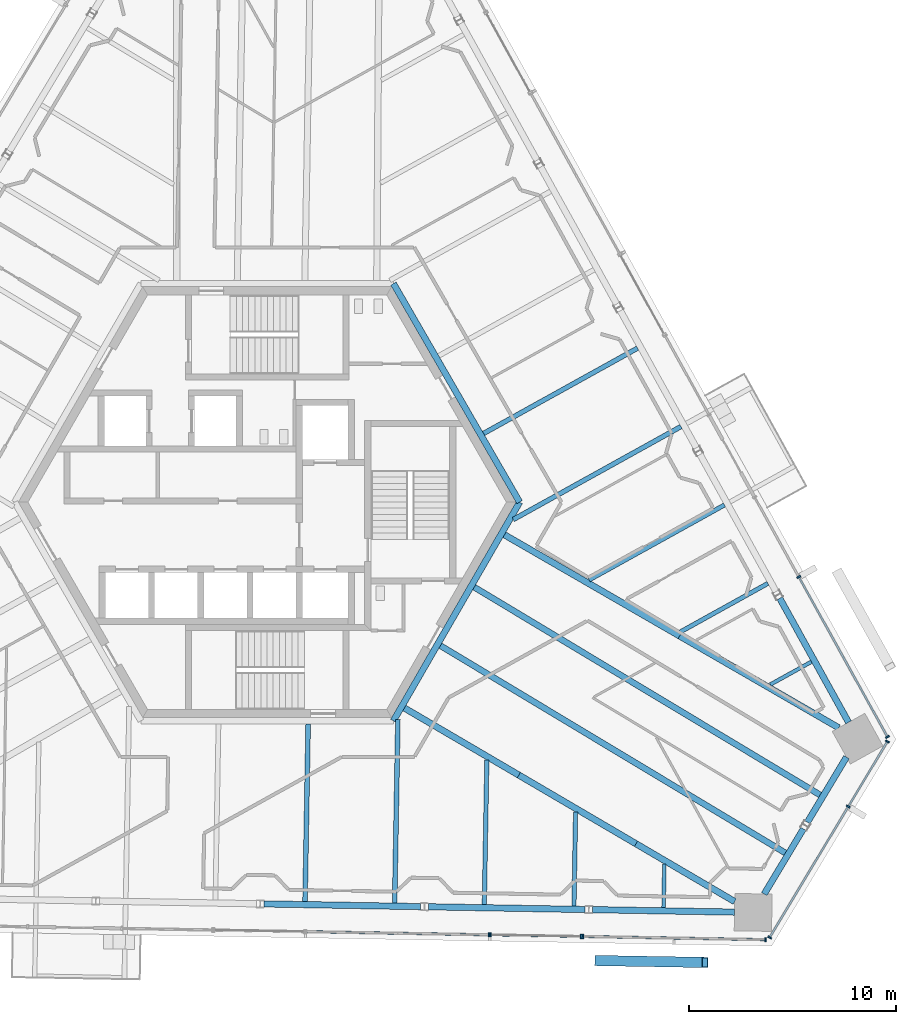
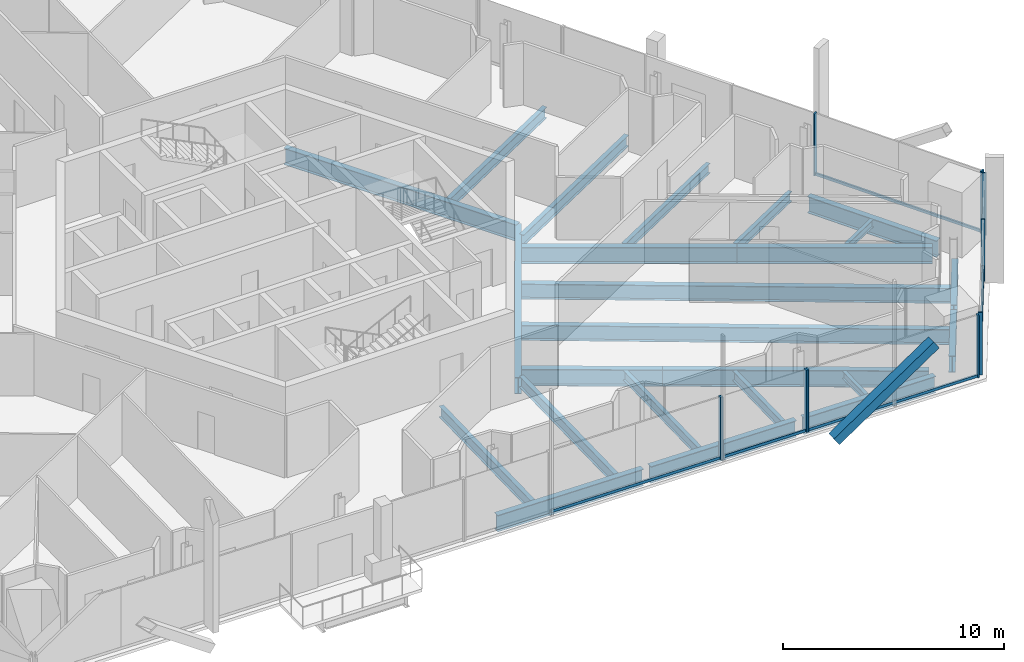
# One storey, part 6 of 22: 25 beams, 17 members, 5 elements without a shape of their own.
"""IFC4 building model written with IfcOpenShell, lengths in metres."""

from ifc_helpers import new_model, si_unit, direction, frame, origin, origin_2d, place, context, subcontext, project, spatial, rectangle, hollow_rectangle, i_section, extrude, source, transform, mapped, material, material_profile, profile_set, type_object, element, aggregate, save


model = new_model("IFC4")

# Units and contexts
model_context = context("Model", 3, precision=1e-05, world=origin(), true_north=direction((0.0, 1.0)))
body_context = subcontext(model_context, "Body", "Model", "MODEL_VIEW")
ifc_project = project(units=[si_unit("LENGTHUNIT", "METRE"), si_unit("AREAUNIT", "SQUARE_METRE"), si_unit("VOLUMEUNIT", "CUBIC_METRE"), si_unit("PLANEANGLEUNIT", "RADIAN"), si_unit("MASSUNIT", "GRAM", prefix="KILO")], contexts=[model_context])

# Site, building, storey
site_placement = place(None, origin())
site = spatial("IfcSite", under=ifc_project, at=site_placement, CompositionType="ELEMENT")
building_placement = place(site_placement, origin())
building = spatial("IfcBuilding", under=site, at=building_placement, Name="Triune Harvest Tower", CompositionType="ELEMENT")
storey_placement = place(building_placement, frame((0.0, 0.0, 208.699951171875)))
storey = spatial("IfcBuildingStorey", under=building, at=storey_placement, Name="L54", CompositionType="ELEMENT", Elevation=208.699951171875)

# Beams
ifc_material_1 = material(Name="Steel ASTM A992 Gr 50", Category="steel")
ifc_material_profile_1 = material_profile(ifc_material_1, i_section(OverallWidth=0.3046875, OverallDepth=0.914306640625, WebThickness=0.0166015625, FlangeThickness=0.02587890625, at=origin_2d()), Name="W36x160")
ifc_profile_set_1 = profile_set([ifc_material_profile_1], Name="Steel ASTM A992 Gr 50")
beam_type_1 = type_object("IfcBeamType", Name="CG-1 Core ring girder W36x160", PredefinedType="BEAM", material=ifc_profile_set_1)
shared_shape_1 = source(origin(), body_context, "Body", "SweptSolid", [
    extrude(i_section(OverallWidth=0.3046875, OverallDepth=0.914306640625, WebThickness=0.0166015625, FlangeThickness=0.02587890625, at=origin_2d()), origin(), (0.0, 0.0, 1.0), 12.176025390625),
])
for number, where, z_axis, x_axis, name in (
    (1, (12.176025390625, 0.0, -0.6171875), (-0.5000099932, 0.866019634131, 0.0), (-0.866019634131, -0.5000099932, 0.0), "beam/L54/CG1"),
    (2, (6.087890625, -10.544677734375, -0.6171875), (0.5000099932, 0.866019634131, 0.0), (-0.866019634131, 0.5000099932, 0.0), "beam/L54/CG6"),
):
    element("IfcBeam", number, at=place(storey_placement, frame(where, z_axis=z_axis, x_axis=x_axis)), inside=storey, type_object=beam_type_1, Name=name, PredefinedType="BEAM", context=body_context, shape_type="MappedRepresentation", body=[
        mapped(shared_shape_1, transform((0.0, 0.0, 0.0), scale=1.0)),
    ])
ifc_material_2 = material(Name="Steel ASTM A992 Gr 50", Category="steel")
ifc_material_profile_2 = material_profile(ifc_material_2, i_section(OverallWidth=0.307373046875, OverallDepth=0.922119140625, WebThickness=0.018310546875, FlangeThickness=0.030029296875, at=origin_2d()), Name="W36x182")
ifc_profile_set_2 = profile_set([ifc_material_profile_2], Name="Steel ASTM A992 Gr 50")
beam_type_2 = type_object("IfcBeamType", Name="HG-2 Hip girder W36x182", PredefinedType="BEAM", material=ifc_profile_set_2)
shared_shape_2 = source(origin(), body_context, "Body", "SweptSolid", [
    extrude(i_section(OverallWidth=0.307373046875, OverallDepth=0.922119140625, WebThickness=0.018310546875, FlangeThickness=0.030029296875, at=origin_2d()), origin(), (0.0, 0.0, 1.0), 9.7568359375),
])
beam_1_placement = place(storey_placement, frame((19.893310546875, -6.451904296875, -0.620849609375), z_axis=(-0.866026409454, 0.499998258125, 0.0), x_axis=(-0.499998258125, -0.866026409454, 0.0)))
element("IfcBeam", 3, at=beam_1_placement, inside=storey, type_object=beam_type_2, Name="beam/L54/HG2", PredefinedType="BEAM", context=body_context, shape_type="MappedRepresentation", body=[
    mapped(shared_shape_2, transform((0.0, 0.0, 0.0), scale=1.0)),
])
shared_shape_3 = source(origin(), body_context, "Body", "SweptSolid", [
    extrude(i_section(OverallWidth=0.307373046875, OverallDepth=0.922119140625, WebThickness=0.018310546875, FlangeThickness=0.030029296875, at=origin_2d()), origin(), (0.0, 0.0, 1.0), 6.549560546875),
])
beam_2_placement = place(storey_placement, frame((17.789306640625, -16.475341796875, -0.620849609375), z_axis=(-0.862742829324, 0.50564296737, 0.0), x_axis=(-0.50564296737, -0.862742829324, 0.0)))
element("IfcBeam", 4, at=beam_2_placement, inside=storey, type_object=beam_type_2, Name="beam/L54/HG9", PredefinedType="BEAM", context=body_context, shape_type="MappedRepresentation", body=[
    mapped(shared_shape_3, transform((0.0, 0.0, 0.0), scale=1.0)),
])
shared_shape_4 = source(origin(), body_context, "Body", "SweptSolid", [
    extrude(i_section(OverallWidth=0.307373046875, OverallDepth=0.922119140625, WebThickness=0.018310546875, FlangeThickness=0.030029296875, at=origin_2d()), origin(), (0.0, 0.0, 1.0), 6.397216796875),
])
beam_3_placement = place(storey_placement, frame((12.138671875, -13.16357421875, -0.620849609375), z_axis=(-0.862754230068, 0.505623514583, 0.0), x_axis=(-0.505623514583, -0.862754230068, 0.0)))
element("IfcBeam", 5, at=beam_3_placement, inside=storey, type_object=beam_type_2, Name="beam/L54/HG10", PredefinedType="BEAM", context=body_context, shape_type="MappedRepresentation", body=[
    mapped(shared_shape_4, transform((0.0, 0.0, 0.0), scale=1.0)),
])
ifc_material_3 = material(Name="Steel ASTM A992 Gr 50", Category="steel")
ifc_material_profile_3 = material_profile(ifc_material_3, i_section(OverallWidth=0.3046875, OverallDepth=0.914306640625, WebThickness=0.0166015625, FlangeThickness=0.02587890625, at=origin_2d()), Name="W36x160")
ifc_profile_set_3 = profile_set([ifc_material_profile_3], Name="Steel ASTM A992 Gr 50")
beam_type_3 = type_object("IfcBeamType", Name="SB-1 Spandrel beam W36x160", PredefinedType="SPANDREL", material=ifc_profile_set_3)
shared_shape_5 = source(origin(), body_context, "Body", "SweptSolid", [
    extrude(i_section(OverallWidth=0.3046875, OverallDepth=0.914306640625, WebThickness=0.0166015625, FlangeThickness=0.02587890625, at=origin_2d()), origin(), (0.0, 0.0, 1.0), 6.841796875),
])
for number, where, z_axis, x_axis, name in (
    (6, (28.0390625, -10.61962890625, -0.6171875), (-0.484833781575, 0.87460631386, 0.0), (-0.87460631386, -0.484833781575, 0.0), "beam/L54/SB1"),
    (7, (15.69921875, -19.65185546875, -0.6171875), (0.999847128578, -0.017484835582, 0.0), (0.017484835582, 0.999847128578, 0.0), "beam/L54/SB22"),
):
    element("IfcBeam", number, at=place(storey_placement, frame(where, z_axis=z_axis, x_axis=x_axis)), inside=storey, type_object=beam_type_3, Name=name, PredefinedType="SPANDREL", context=body_context, shape_type="MappedRepresentation", body=[
        mapped(shared_shape_5, transform((0.0, 0.0, 0.0), scale=1.0)),
    ])
shared_shape_6 = source(origin(), body_context, "Body", "SweptSolid", [
    extrude(i_section(OverallWidth=0.3046875, OverallDepth=0.914306640625, WebThickness=0.0166015625, FlangeThickness=0.02587890625, at=origin_2d()), origin(), (0.0, 0.0, 1.0), 3.66357421875),
])
beam_4_placement = place(storey_placement, frame((23.97509765625, -18.896240234375, -0.6171875), z_axis=(0.51504443288, 0.857163480416, 0.0), x_axis=(-0.857163480416, 0.51504443288, 0.0)))
element("IfcBeam", 8, at=beam_4_placement, inside=storey, type_object=beam_type_3, Name="beam/L54/SB23", PredefinedType="SPANDREL", context=body_context, shape_type="MappedRepresentation", body=[
    mapped(shared_shape_6, transform((0.0, 0.0, 0.0), scale=1.0)),
])
shared_shape_7 = source(origin(), body_context, "Body", "SweptSolid", [
    extrude(i_section(OverallWidth=0.3046875, OverallDepth=0.914306640625, WebThickness=0.0166015625, FlangeThickness=0.02587890625, at=origin_2d()), origin(), (0.0, 0.0, 1.0), 7.556640625),
])
for number, where, z_axis, x_axis, name in (
    (9, (-0.15283203125, -19.375244140625, -0.6171875), (0.999847797686, -0.017446531514, 0.0), (0.017446531514, 0.999847797686, 0.0), "beam/L54/SB20"),
    (10, (7.773193359375, -19.513671875, -0.6171875), (0.999847797686, -0.017446531514, 0.0), (0.017446531514, 0.999847797686, 0.0), "beam/L54/SB21"),
):
    element("IfcBeam", number, at=place(storey_placement, frame(where, z_axis=z_axis, x_axis=x_axis)), inside=storey, type_object=beam_type_3, Name=name, PredefinedType="SPANDREL", context=body_context, shape_type="MappedRepresentation", body=[
        mapped(shared_shape_7, transform((0.0, 0.0, 0.0), scale=1.0)),
    ])
shared_shape_8 = source(origin(), body_context, "Body", "SweptSolid", [
    extrude(i_section(OverallWidth=0.3046875, OverallDepth=0.914306640625, WebThickness=0.0166015625, FlangeThickness=0.02587890625, at=origin_2d()), origin(), (0.0, 0.0, 1.0), 3.663818359375),
])
beam_5_placement = place(storey_placement, frame((26.052978515625, -15.43798828125, -0.6171875), z_axis=(0.515093391182, 0.857134060903, 0.0), x_axis=(-0.857134060903, 0.515093391182, 0.0)))
element("IfcBeam", 11, at=beam_5_placement, inside=storey, type_object=beam_type_3, Name="beam/L54/SB24", PredefinedType="SPANDREL", context=body_context, shape_type="MappedRepresentation", body=[
    mapped(shared_shape_8, transform((0.0, 0.0, 0.0), scale=1.0)),
])
shared_shape_9 = source(origin(), body_context, "Body", "SweptSolid", [
    extrude(i_section(OverallWidth=0.307373046875, OverallDepth=0.922119140625, WebThickness=0.018310546875, FlangeThickness=0.030029296875, at=origin_2d()), origin(), (0.0, 0.0, 1.0), 8.859619140625),
])
beam_6_placement = place(storey_placement, frame((27.56591796875, -10.8818359375, -0.620849609375), z_axis=(-0.866018088107, 0.500012670911, 0.0), x_axis=(-0.500012670911, -0.866018088107, 0.0)))
element("IfcBeam", 12, at=beam_6_placement, inside=storey, type_object=beam_type_2, Name="beam/L54/HG1", PredefinedType="BEAM", context=body_context, shape_type="MappedRepresentation", body=[
    mapped(shared_shape_9, transform((0.0, 0.0, 0.0), scale=1.0)),
])
shared_shape_10 = source(origin(), body_context, "Body", "SweptSolid", [
    extrude(i_section(OverallWidth=0.307373046875, OverallDepth=0.922119140625, WebThickness=0.018310546875, FlangeThickness=0.030029296875, at=origin_2d()), origin(), (0.0, 0.0, 1.0), 5.516845703125),
])
beam_7_placement = place(storey_placement, frame((22.548828125, -19.264892578125, -0.620849609375), z_axis=(-0.862738579495, 0.505650218482, 0.0), x_axis=(-0.505650218482, -0.862738579495, 0.0)))
element("IfcBeam", 13, at=beam_7_placement, inside=storey, type_object=beam_type_2, Name="beam/L54/HG8", PredefinedType="BEAM", context=body_context, shape_type="MappedRepresentation", body=[
    mapped(shared_shape_10, transform((0.0, 0.0, 0.0), scale=1.0)),
])
ifc_material_4 = material(Name="Steel ASTM A992 Gr 50", Category="steel")
ifc_material_profile_4 = material_profile(ifc_material_4, i_section(OverallWidth=0.180908203125, OverallDepth=0.41650390625, WebThickness=0.010986328125, FlangeThickness=0.01806640625, at=origin_2d()), Name="W16x57")
ifc_profile_set_4 = profile_set([ifc_material_profile_4], Name="Steel ASTM A992 Gr 50")
beam_type_4 = type_object("IfcBeamType", Name="JT-1 Floor joist W16x57", PredefinedType="JOIST", material=ifc_profile_set_4)
shared_shape_11 = source(origin(), body_context, "Body", "SweptSolid", [
    extrude(i_section(OverallWidth=0.180908203125, OverallDepth=0.41650390625, WebThickness=0.010986328125, FlangeThickness=0.01806640625, at=origin_2d()), origin(), (0.0, 0.0, 1.0), 2.266357421875),
])
beam_8_placement = place(storey_placement, frame((26.24560546875, -7.698974609375, -0.3681640625), z_axis=(-0.874639585413, -0.484773757157, 0.0), x_axis=(0.484773757157, -0.874639585413, 0.0)))
element("IfcBeam", 14, at=beam_8_placement, inside=storey, type_object=beam_type_4, Name="beam/L54/JT1", PredefinedType="JOIST", context=body_context, shape_type="MappedRepresentation", body=[
    mapped(shared_shape_11, transform((0.0, 0.0, 0.0), scale=1.0)),
])
ifc_material_5 = material(Name="Steel ASTM A992 Gr 50", Category="steel")
ifc_material_profile_5 = material_profile(ifc_material_5, i_section(OverallWidth=0.2099609375, OverallDepth=0.535888671875, WebThickness=0.010986328125, FlangeThickness=0.017333984375, at=origin_2d()), Name="W21x68")
ifc_profile_set_5 = profile_set([ifc_material_profile_5], Name="Steel ASTM A992 Gr 50")
beam_type_5 = type_object("IfcBeamType", Name="JT-2 Floor joist W21x68", PredefinedType="JOIST", material=ifc_profile_set_5)
shared_shape_12 = source(origin(), body_context, "Body", "SweptSolid", [
    extrude(i_section(OverallWidth=0.2099609375, OverallDepth=0.535888671875, WebThickness=0.010986328125, FlangeThickness=0.017333984375, at=origin_2d()), origin(), (0.0, 0.0, 1.0), 4.8642578125),
])
beam_9_placement = place(storey_placement, frame((24.1494140625, -3.9169921875, -0.427978515625), z_axis=(-0.874606715021, -0.484833057908, 0.0), x_axis=(0.484833057908, -0.874606715021, 0.0)))
element("IfcBeam", 15, at=beam_9_placement, inside=storey, type_object=beam_type_5, Name="beam/L54/JT2", PredefinedType="JOIST", context=body_context, shape_type="MappedRepresentation", body=[
    mapped(shared_shape_12, transform((0.0, 0.0, 0.0), scale=1.0)),
])
shared_shape_13 = source(origin(), body_context, "Body", "SweptSolid", [
    extrude(i_section(OverallWidth=0.2099609375, OverallDepth=0.535888671875, WebThickness=0.010986328125, FlangeThickness=0.017333984375, at=origin_2d()), origin(), (0.0, 0.0, 1.0), 7.46240234375),
])
beam_10_placement = place(storey_placement, frame((22.052978515625, -0.13525390625, -0.427978515625), z_axis=(-0.87461829469, -0.484812168363, 0.0), x_axis=(0.484812168363, -0.87461829469, 0.0)))
element("IfcBeam", 16, at=beam_10_placement, inside=storey, type_object=beam_type_5, Name="beam/L54/JT3", PredefinedType="JOIST", context=body_context, shape_type="MappedRepresentation", body=[
    mapped(shared_shape_13, transform((0.0, 0.0, 0.0), scale=1.0)),
])
ifc_material_6 = material(Name="Steel ASTM A992 Gr 50", Category="steel")
ifc_material_profile_6 = material_profile(ifc_material_6, i_section(OverallWidth=0.22900390625, OverallDepth=0.612060546875, WebThickness=0.011962890625, FlangeThickness=0.01953125, at=origin_2d()), Name="W24x84")
ifc_profile_set_6 = profile_set([ifc_material_profile_6], Name="Steel ASTM A992 Gr 50")
beam_type_6 = type_object("IfcBeamType", Name="JT-3 Floor joist W24x84", PredefinedType="JOIST", material=ifc_profile_set_6)
shared_shape_14 = source(origin(), body_context, "Body", "SweptSolid", [
    extrude(i_section(OverallWidth=0.22900390625, OverallDepth=0.612060546875, WebThickness=0.011962890625, FlangeThickness=0.01953125, at=origin_2d()), origin(), (0.0, 0.0, 1.0), 9.247314453125),
])
beam_11_placement = place(storey_placement, frame((19.956787109375, 3.646484375, -0.466064453125), z_axis=(-0.874621389222, -0.484806585676, 0.0), x_axis=(0.484806585676, -0.874621389222, 0.0)))
element("IfcBeam", 17, at=beam_11_placement, inside=storey, type_object=beam_type_6, Name="beam/L54/JT4", PredefinedType="JOIST", context=body_context, shape_type="MappedRepresentation", body=[
    mapped(shared_shape_14, transform((0.0, 0.0, 0.0), scale=1.0)),
])
shared_shape_15 = source(origin(), body_context, "Body", "SweptSolid", [
    extrude(i_section(OverallWidth=0.22900390625, OverallDepth=0.612060546875, WebThickness=0.011962890625, FlangeThickness=0.01953125, at=origin_2d()), origin(), (0.0, 0.0, 1.0), 8.486083984375),
])
beam_12_placement = place(storey_placement, frame((17.860595703125, 7.42822265625, -0.466064453125), z_axis=(-0.874626410095, -0.484797527598, 0.0), x_axis=(0.484797527598, -0.874626410095, 0.0)))
element("IfcBeam", 18, at=beam_12_placement, inside=storey, type_object=beam_type_6, Name="beam/L54/JT5", PredefinedType="JOIST", context=body_context, shape_type="MappedRepresentation", body=[
    mapped(shared_shape_15, transform((0.0, 0.0, 0.0), scale=1.0)),
])
ifc_material_7 = material(Name="Steel ASTM A992 Gr 50", Category="steel")
ifc_material_profile_7 = material_profile(ifc_material_7, i_section(OverallWidth=0.2919921875, OverallDepth=0.8408203125, WebThickness=0.0146484375, FlangeThickness=0.021728515625, at=origin_2d()), Name="W33x130")
ifc_profile_set_7 = profile_set([ifc_material_profile_7], Name="Steel ASTM A992 Gr 50")
beam_type_7 = type_object("IfcBeamType", Name="JT-6 Floor joist W33x130", PredefinedType="JOIST", material=ifc_profile_set_7)
shared_shape_16 = source(origin(), body_context, "Body", "SweptSolid", [
    extrude(i_section(OverallWidth=0.2919921875, OverallDepth=0.8408203125, WebThickness=0.0146484375, FlangeThickness=0.021728515625, at=origin_2d()), origin(), (0.0, 0.0, 1.0), 19.403564453125),
])
beam_13_placement = place(storey_placement, frame((24.98779296875, -16.915283203125, -0.580322265625), z_axis=(-0.857165243619, 0.515041498456, 0.0), x_axis=(-0.515041498456, -0.857165243619, 0.0)))
element("IfcBeam", 19, at=beam_13_placement, inside=storey, type_object=beam_type_7, Name="beam/L54/JT35", PredefinedType="JOIST", context=body_context, shape_type="MappedRepresentation", body=[
    mapped(shared_shape_16, transform((0.0, 0.0, 0.0), scale=1.0)),
])
shared_shape_17 = source(origin(), body_context, "Body", "SweptSolid", [
    extrude(i_section(OverallWidth=0.2919921875, OverallDepth=0.8408203125, WebThickness=0.0146484375, FlangeThickness=0.021728515625, at=origin_2d()), origin(), (0.0, 0.0, 1.0), 19.460205078125),
])
beam_14_placement = place(storey_placement, frame((26.666259765625, -14.12158203125, -0.580322265625), z_axis=(-0.85716841359, 0.515036222749, 0.0), x_axis=(-0.515036222749, -0.85716841359, 0.0)))
element("IfcBeam", 20, at=beam_14_placement, inside=storey, type_object=beam_type_7, Name="beam/L54/JT36", PredefinedType="JOIST", context=body_context, shape_type="MappedRepresentation", body=[
    mapped(shared_shape_17, transform((0.0, 0.0, 0.0), scale=1.0)),
])
shared_shape_18 = source(origin(), body_context, "Body", "SweptSolid", [
    extrude(i_section(OverallWidth=0.22900390625, OverallDepth=0.612060546875, WebThickness=0.011962890625, FlangeThickness=0.01953125, at=origin_2d()), origin(), (0.0, 0.0, 1.0), 8.5615234375),
])
beam_15_placement = place(storey_placement, frame((1.826171875, -19.25732421875, -0.466064453125), z_axis=(0.017451638412, 0.999847708562, 0.0), x_axis=(-0.999847708562, 0.017451638412, 0.0)))
element("IfcBeam", 21, at=beam_15_placement, inside=storey, type_object=beam_type_6, Name="beam/L54/JT30", PredefinedType="JOIST", context=body_context, shape_type="MappedRepresentation", body=[
    mapped(shared_shape_18, transform((0.0, 0.0, 0.0), scale=1.0)),
])
shared_shape_19 = source(origin(), body_context, "Body", "SweptSolid", [
    extrude(i_section(OverallWidth=0.180908203125, OverallDepth=0.41650390625, WebThickness=0.010986328125, FlangeThickness=0.01806640625, at=origin_2d()), origin(), (0.0, 0.0, 1.0), 2.104736328125),
])
beam_16_placement = place(storey_placement, frame((19.119384765625, -19.55908203125, -0.3681640625), z_axis=(0.017398758065, 0.999848630152, 0.0), x_axis=(-0.999848630152, 0.017398758065, 0.0)))
element("IfcBeam", 22, at=beam_16_placement, inside=storey, type_object=beam_type_4, Name="beam/L54/JT34", PredefinedType="JOIST", context=body_context, shape_type="MappedRepresentation", body=[
    mapped(shared_shape_19, transform((0.0, 0.0, 0.0), scale=1.0)),
])
shared_shape_20 = source(origin(), body_context, "Body", "SweptSolid", [
    extrude(i_section(OverallWidth=0.22900390625, OverallDepth=0.612060546875, WebThickness=0.011962890625, FlangeThickness=0.01953125, at=origin_2d()), origin(), (0.0, 0.0, 1.0), 8.859130859375),
])
beam_17_placement = place(storey_placement, frame((6.1494140625, -19.3330078125, -0.466064453125), z_axis=(0.017472043805, 0.999847352192, 0.0), x_axis=(-0.999847352192, 0.017472043805, 0.0)))
element("IfcBeam", 23, at=beam_17_placement, inside=storey, type_object=beam_type_6, Name="beam/L54/JT31", PredefinedType="JOIST", context=body_context, shape_type="MappedRepresentation", body=[
    mapped(shared_shape_20, transform((0.0, 0.0, 0.0), scale=1.0)),
])
shared_shape_21 = source(origin(), body_context, "Body", "SweptSolid", [
    extrude(i_section(OverallWidth=0.2099609375, OverallDepth=0.535888671875, WebThickness=0.010986328125, FlangeThickness=0.017333984375, at=origin_2d()), origin(), (0.0, 0.0, 1.0), 6.972412109375),
])
beam_18_placement = place(storey_placement, frame((10.47265625, -19.408203125, -0.427978515625), z_axis=(0.017472380522, 0.999847346308, 0.0), x_axis=(-0.999847346308, 0.017472380522, 0.0)))
element("IfcBeam", 24, at=beam_18_placement, inside=storey, type_object=beam_type_5, Name="beam/L54/JT32", PredefinedType="JOIST", context=body_context, shape_type="MappedRepresentation", body=[
    mapped(shared_shape_21, transform((0.0, 0.0, 0.0), scale=1.0)),
])
shared_shape_22 = source(origin(), body_context, "Body", "SweptSolid", [
    extrude(i_section(OverallWidth=0.2099609375, OverallDepth=0.535888671875, WebThickness=0.010986328125, FlangeThickness=0.017333984375, at=origin_2d()), origin(), (0.0, 0.0, 1.0), 4.5390625),
])
beam_19_placement = place(storey_placement, frame((14.7958984375, -19.48388671875, -0.427978515625), z_axis=(0.017480786476, 0.999847199378, 0.0), x_axis=(-0.999847199378, 0.017480786476, 0.0)))
element("IfcBeam", 25, at=beam_19_placement, inside=storey, type_object=beam_type_5, Name="beam/L54/JT33", PredefinedType="JOIST", context=body_context, shape_type="MappedRepresentation", body=[
    mapped(shared_shape_22, transform((0.0, 0.0, 0.0), scale=1.0)),
])

# Member
ifc_material_8 = material(Name="Steel ASTM A572 Gr 50", Category="steel")
ifc_material_profile_8 = material_profile(ifc_material_8, hollow_rectangle(XDim=0.5, YDim=0.5, WallThickness=0.030029296875, at=origin_2d()), Name="Box 500x500x30")
ifc_profile_set_8 = profile_set([ifc_material_profile_8], Name="Steel ASTM A572 Gr 50")
member_type_1 = type_object("IfcMemberType", Name="BR-3 Brace Box 500x500x30", PredefinedType="BRACE", material=ifc_profile_set_8)
shared_shape_23 = source(origin(), body_context, "Body", "SweptSolid", [
    extrude(hollow_rectangle(XDim=0.5, YDim=0.5, WallThickness=0.030029296875, at=origin_2d()), origin(), (0.0, 0.0, 1.0), 6.302978515625),
])
member_1_placement = place(storey_placement, frame((15.94482421875, -22.108642578125, 0.0), z_axis=(0.820702450546, -0.014331692784, 0.57117605889), x_axis=(0.017460052757, 0.99984756166, 0.0)))
element("IfcMember", 26, at=member_1_placement, inside=storey, type_object=member_type_1, Name="brace/B5-F5/d1/9", PredefinedType="BRACE", context=body_context, shape_type="MappedRepresentation", body=[
    mapped(shared_shape_23, transform((0.0, 0.0, 0.0), scale=1.0)),
])

# Curtain wall, members
ifc_material_9 = material(Name="Aluminium bronze anodised", Category="aluminium")
curtain_wall_type_1 = type_object("IfcCurtainWallType", Name="CW-7 Tower stick curtain wall with insulated spandrel infill", PredefinedType="NOTDEFINED", material=ifc_material_9)
curtain_wall_1_placement = place(storey_placement, origin())
curtain_wall_1 = element("IfcCurtainWall", 27, at=curtain_wall_1_placement, inside=storey, type_object=curtain_wall_type_1, Name="CW-7 B5-F6 L54 run 1")
ifc_material_10 = material(Name="Aluminium bronze anodised", Category="aluminium")
ifc_material_profile_9 = material_profile(ifc_material_10, rectangle(XDim=0.199951171875, YDim=0.074951171875, at=origin_2d()), Name="MU-1 mullion 75 x 200")
ifc_profile_set_9 = profile_set([ifc_material_profile_9], Name="Aluminium bronze anodised")
member_type_2 = type_object("IfcMemberType", Name="MU-1 mullion 75 x 200", PredefinedType="MULLION", material=ifc_profile_set_9)
shared_shape_24 = source(origin(), body_context, "Body", "SweptSolid", [
    extrude(rectangle(XDim=0.199951171875, YDim=0.074951171875, at=origin_2d()), origin(), (0.0, 0.0, 1.0), 3.43994140625),
])
member_2_placement = place(storey_placement, frame((24.234619140625, -20.992919921875, 0.0), z_axis=(0.0, 0.0, 1.0), x_axis=(-0.857168135313, 0.515036685882, 0.0)))
member_2 = element("IfcMember", 28, at=member_2_placement, type_object=member_type_2, Name="CW-7 mullion B5-F6 1.1", PredefinedType="MULLION", context=body_context, shape_type="MappedRepresentation", body=[
    mapped(shared_shape_24, transform((0.0, 0.0, 0.0), scale=1.0)),
])
member_3_placement = place(storey_placement, frame((28.026611328125, -14.681884765625, 0.0), z_axis=(0.0, 0.0, 1.0), x_axis=(-0.857168135313, 0.515036685882, 0.0)))
member_3 = element("IfcMember", 29, at=member_3_placement, type_object=member_type_2, Name="CW-7 mullion B5-F6 1.3", PredefinedType="MULLION", context=body_context, shape_type="MappedRepresentation", body=[
    mapped(shared_shape_24, transform((0.0, 0.0, 0.0), scale=1.0)),
])
member_4_placement = place(storey_placement, frame((29.912841796875, -11.54248046875, 0.0), z_axis=(0.0, 0.0, 1.0), x_axis=(-0.857168135313, 0.515036685882, 0.0)))
member_4 = element("IfcMember", 30, at=member_4_placement, type_object=member_type_2, Name="CW-7 mullion B5-F6 1.4", PredefinedType="MULLION", context=body_context, shape_type="MappedRepresentation", body=[
    mapped(shared_shape_24, transform((0.0, 0.0, 0.0), scale=1.0)),
])

ifc_material_11 = material(Name="Aluminium bronze anodised", Category="aluminium")
curtain_wall_type_2 = type_object("IfcCurtainWallType", Name="CW-10 Balcony window wall with insulated spandrel infill", PredefinedType="NOTDEFINED", material=ifc_material_11)
curtain_wall_2_placement = place(storey_placement, origin())
curtain_wall_2 = element("IfcCurtainWall", 31, at=curtain_wall_2_placement, inside=storey, type_object=curtain_wall_type_2, Name="CW-10 B5-F1 L54 run 1")
ifc_material_12 = material(Name="Aluminium bronze anodised", Category="aluminium")
ifc_material_profile_10 = material_profile(ifc_material_12, rectangle(XDim=0.199951171875, YDim=0.074951171875, at=origin_2d()), Name="MU-6 mullion 75 x 200")
ifc_profile_set_10 = profile_set([ifc_material_profile_10], Name="Aluminium bronze anodised")
member_type_3 = type_object("IfcMemberType", Name="MU-6 mullion 75 x 200", PredefinedType="MULLION", material=ifc_profile_set_10)
shared_shape_25 = source(origin(), body_context, "Body", "SweptSolid", [
    extrude(rectangle(XDim=0.199951171875, YDim=0.074951171875, at=origin_2d()), origin(), (0.0, 0.0, 1.0), 3.43994140625),
])
member_5_placement = place(storey_placement, frame((29.916748046875, -11.321533203125, 0.0), z_axis=(0.0, 0.0, 1.0), x_axis=(-0.874620337497, -0.48480848305, 0.0)))
member_5 = element("IfcMember", 32, at=member_5_placement, type_object=member_type_3, Name="CW-10 mullion B5-F1 1.1", PredefinedType="MULLION", context=body_context, shape_type="MappedRepresentation", body=[
    mapped(shared_shape_25, transform((0.0, 0.0, 0.0), scale=1.0)),
])
member_6_placement = place(storey_placement, frame((25.638916015625, -3.604248046875, 0.0), z_axis=(0.0, 0.0, 1.0), x_axis=(-0.874620337497, -0.48480848305, 0.0)))
member_6 = element("IfcMember", 33, at=member_6_placement, type_object=member_type_3, Name="CW-10 mullion B5-F1 1.3", PredefinedType="MULLION", context=body_context, shape_type="MappedRepresentation", body=[
    mapped(shared_shape_25, transform((0.0, 0.0, 0.0), scale=1.0)),
])

# Curtain wall, member
curtain_wall_3_placement = place(storey_placement, origin())
curtain_wall_3 = element("IfcCurtainWall", 34, at=curtain_wall_3_placement, inside=storey, type_object=curtain_wall_type_2, Name="CW-10 B5-F5 L54 run 2002")
member_7_placement = place(storey_placement, frame((10.7001953125, -20.866943359375, 0.0), z_axis=(0.0, 0.0, 1.0), x_axis=(0.017458156037, 0.99984759478, 0.0)))
member_7 = element("IfcMember", 35, at=member_7_placement, type_object=member_type_3, Name="CW-10 mullion B5-F5 2002.3", PredefinedType="MULLION", context=body_context, shape_type="MappedRepresentation", body=[
    mapped(shared_shape_25, transform((0.0, 0.0, 0.0), scale=1.0)),
])

# Curtain wall, members
ifc_material_13 = material(Name="Aluminium bronze anodised", Category="aluminium")
curtain_wall_type_3 = type_object("IfcCurtainWallType", Name="CW-6 Balcony window wall", PredefinedType="NOTDEFINED", material=ifc_material_13)
curtain_wall_4_placement = place(storey_placement, origin())
curtain_wall_4 = element("IfcCurtainWall", 36, at=curtain_wall_4_placement, inside=storey, type_object=curtain_wall_type_3, Name="CW-6 B5-F5 L54 run 3002")
member_8_placement = place(storey_placement, frame((10.775146484375, -20.868408203125, 0.0), z_axis=(0.0, 0.0, 1.0), x_axis=(0.017446917898, 0.999847790944, 0.0)))
member_8 = element("IfcMember", 37, at=member_8_placement, type_object=member_type_3, Name="CW-6 mullion B5-F5 3002.1", PredefinedType="MULLION", context=body_context, shape_type="MappedRepresentation", body=[
    mapped(shared_shape_25, transform((0.0, 0.0, 0.0), scale=1.0)),
])
member_9_placement = place(storey_placement, frame((15.147216796875, -20.944580078125, 0.0), z_axis=(0.0, 0.0, 1.0), x_axis=(0.017446917898, 0.999847790944, 0.0)))
member_9 = element("IfcMember", 38, at=member_9_placement, type_object=member_type_3, Name="CW-6 mullion B5-F5 3002.2", PredefinedType="MULLION", context=body_context, shape_type="MappedRepresentation", body=[
    mapped(shared_shape_25, transform((0.0, 0.0, 0.0), scale=1.0)),
])

curtain_wall_5_placement = place(storey_placement, origin())
curtain_wall_5 = element("IfcCurtainWall", 39, at=curtain_wall_5_placement, inside=storey, type_object=curtain_wall_type_2, Name="CW-10 B5-F5 L54 run 4002")
member_10_placement = place(storey_placement, frame((15.22216796875, -20.946044921875, 0.0), z_axis=(0.0, 0.0, 1.0), x_axis=(0.017450189509, 0.999847733851, 0.0)))
member_10 = element("IfcMember", 40, at=member_10_placement, type_object=member_type_3, Name="CW-10 mullion B5-F5 4002.1", PredefinedType="MULLION", context=body_context, shape_type="MappedRepresentation", body=[
    mapped(shared_shape_25, transform((0.0, 0.0, 0.0), scale=1.0)),
])
member_11_placement = place(storey_placement, frame((24.04150390625, -21.099853515625, 0.0), z_axis=(0.0, 0.0, 1.0), x_axis=(0.017450189509, 0.999847733851, 0.0)))
member_11 = element("IfcMember", 41, at=member_11_placement, type_object=member_type_3, Name="CW-10 mullion B5-F5 4002.3", PredefinedType="MULLION", context=body_context, shape_type="MappedRepresentation", body=[
    mapped(shared_shape_25, transform((0.0, 0.0, 0.0), scale=1.0)),
])

# Member
ifc_material_14 = material(Name="Aluminium bronze anodised", Category="aluminium")
ifc_material_profile_11 = material_profile(ifc_material_14, rectangle(XDim=0.090087890625, YDim=0.89990234375, at=origin_2d()), Name="TR-1 transom 90 x 900")
ifc_profile_set_11 = profile_set([ifc_material_profile_11], Name="Aluminium bronze anodised")
member_type_4 = type_object("IfcMemberType", Name="TR-1 transom 90 x 900", PredefinedType="USERDEFINED", material=ifc_profile_set_11)
shared_shape_26 = source(origin(), body_context, "Body", "SweptSolid", [
    extrude(rectangle(XDim=0.090087890625, YDim=0.89990234375, at=origin_2d()), origin(), (0.0, 0.0, 1.0), 7.287841796875),
])
member_12_placement = place(storey_placement, frame((24.25390625, -20.960693359375, 0.449951171875), z_axis=(0.515032643637, 0.857170564117, 0.0), x_axis=(-0.857170564117, 0.515032643637, 0.0)))
member_12 = element("IfcMember", 42, at=member_12_placement, type_object=member_type_4, Name="CW-7 transom B5-F6 1.1", ObjectType="TRANSOM", PredefinedType="USERDEFINED", context=body_context, shape_type="MappedRepresentation", body=[
    mapped(shared_shape_26, transform((0.0, 0.0, 0.0), scale=1.0)),
])

shared_shape_27 = source(origin(), body_context, "Body", "SweptSolid", [
    extrude(rectangle(XDim=0.090087890625, YDim=0.89990234375, at=origin_2d()), origin(), (0.0, 0.0, 1.0), 3.587646484375),
])
member_13_placement = place(storey_placement, frame((28.0458984375, -14.649658203125, 0.449951171875), z_axis=(0.515016056834, 0.857180530112, 0.0), x_axis=(-0.857180530112, 0.515016056834, 0.0)))
member_13 = element("IfcMember", 43, at=member_13_placement, type_object=member_type_4, Name="CW-7 transom B5-F6 1.2", ObjectType="TRANSOM", PredefinedType="USERDEFINED", context=body_context, shape_type="MappedRepresentation", body=[
    mapped(shared_shape_27, transform((0.0, 0.0, 0.0), scale=1.0)),
])

aggregate(curtain_wall_1, [member_2, member_3, member_4, member_12, member_13])

ifc_material_15 = material(Name="Aluminium bronze anodised", Category="aluminium")
ifc_material_profile_12 = material_profile(ifc_material_15, rectangle(XDim=0.090087890625, YDim=0.14990234375, at=origin_2d()), Name="TR-6 transom 90 x 150")
ifc_profile_set_12 = profile_set([ifc_material_profile_12], Name="Aluminium bronze anodised")
member_type_5 = type_object("IfcMemberType", Name="TR-6 transom 90 x 150", PredefinedType="USERDEFINED", material=ifc_profile_set_12)
shared_shape_28 = source(origin(), body_context, "Body", "SweptSolid", [
    extrude(rectangle(XDim=0.090087890625, YDim=0.14990234375, at=origin_2d()), origin(), (0.0, 0.0, 1.0), 8.748779296875),
])
member_14_placement = place(storey_placement, frame((29.898681640625, -11.288818359375, 0.074951171875), z_axis=(-0.484806326638, 0.874621532808, 0.0), x_axis=(-0.874621532808, -0.484806326638, 0.0)))
member_14 = element("IfcMember", 44, at=member_14_placement, type_object=member_type_5, Name="CW-10 transom B5-F1 1.1", ObjectType="TRANSOM", PredefinedType="USERDEFINED", context=body_context, shape_type="MappedRepresentation", body=[
    mapped(shared_shape_28, transform((0.0, 0.0, 0.0), scale=1.0)),
])

aggregate(curtain_wall_2, [member_5, member_6, member_14])

shared_shape_29 = source(origin(), body_context, "Body", "SweptSolid", [
    extrude(rectangle(XDim=0.090087890625, YDim=0.14990234375, at=origin_2d()), origin(), (0.0, 0.0, 1.0), 8.745361328125),
])
member_15_placement = place(storey_placement, frame((1.91845703125, -20.713623046875, 0.074951171875), z_axis=(0.999847290865, -0.01747555294, 0.0), x_axis=(0.01747555294, 0.999847290865, 0.0)))
member_15 = element("IfcMember", 45, at=member_15_placement, type_object=member_type_5, Name="CW-10 transom B5-F5 2002.1", ObjectType="TRANSOM", PredefinedType="USERDEFINED", context=body_context, shape_type="MappedRepresentation", body=[
    mapped(shared_shape_29, transform((0.0, 0.0, 0.0), scale=1.0)),
])

aggregate(curtain_wall_3, [member_7, member_15])

member_16_placement = place(storey_placement, frame((15.259765625, -20.946533203125, 0.074951171875), z_axis=(0.999847778252, -0.017447645226, 0.0), x_axis=(0.017447645226, 0.999847778252, 0.0)))
member_16 = element("IfcMember", 46, at=member_16_placement, type_object=member_type_5, Name="CW-10 transom B5-F5 4002.1", ObjectType="TRANSOM", PredefinedType="USERDEFINED", context=body_context, shape_type="MappedRepresentation", body=[
    mapped(shared_shape_29, transform((0.0, 0.0, 0.0), scale=1.0)),
])

aggregate(curtain_wall_5, [member_10, member_11, member_16])

shared_shape_30 = source(origin(), body_context, "Body", "SweptSolid", [
    extrude(rectangle(XDim=0.090087890625, YDim=0.14990234375, at=origin_2d()), origin(), (0.0, 0.0, 1.0), 4.2978515625),
])
member_17_placement = place(storey_placement, frame((10.8125, -20.868896484375, 0.074951171875), z_axis=(0.999846927553, -0.017496327123, 0.0), x_axis=(0.017496327123, 0.999846927553, 0.0)))
member_17 = element("IfcMember", 47, at=member_17_placement, type_object=member_type_5, Name="CW-6 transom B5-F5 3002.1", ObjectType="TRANSOM", PredefinedType="USERDEFINED", context=body_context, shape_type="MappedRepresentation", body=[
    mapped(shared_shape_30, transform((0.0, 0.0, 0.0), scale=1.0)),
])

aggregate(curtain_wall_4, [member_8, member_9, member_17])

save(model, "model.ifc")
